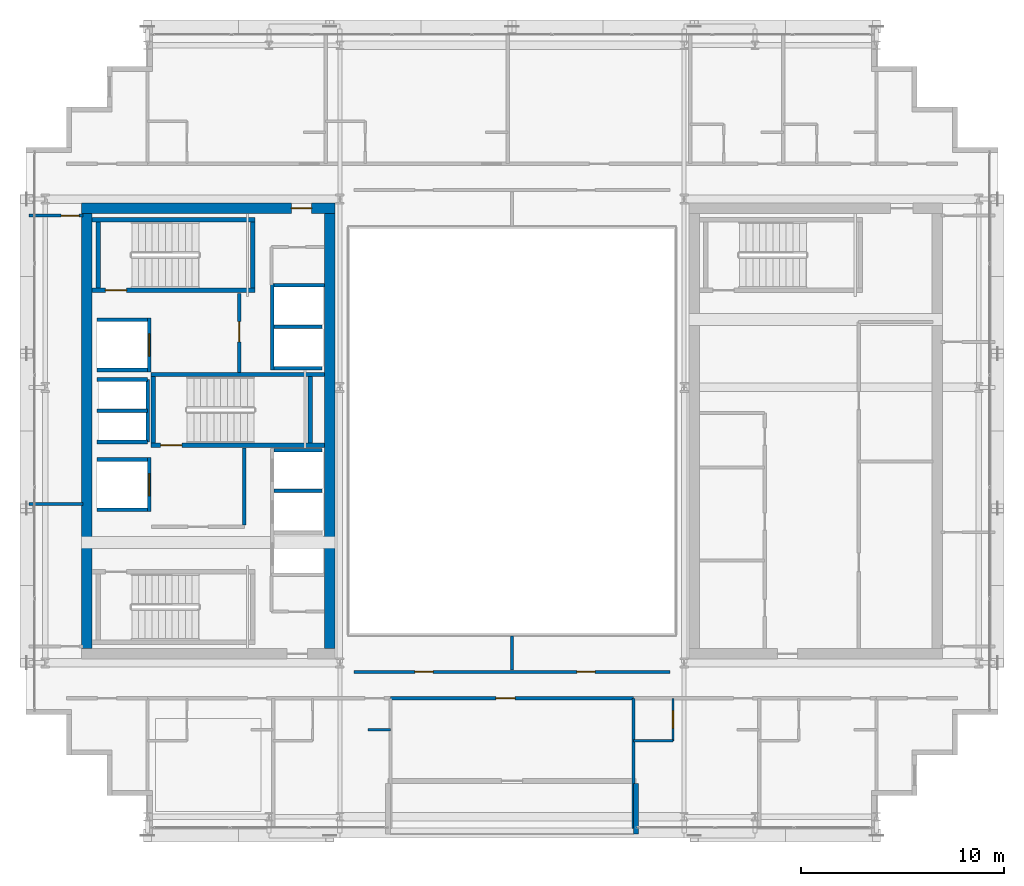
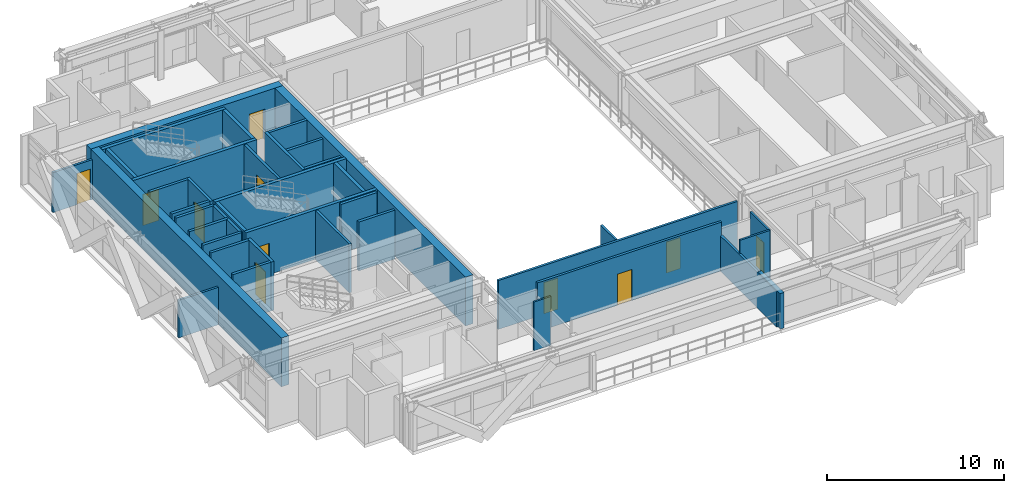
# One storey, part 25 of 32: 39 walls, 11 doors, 11 openings.
"""IFC4 building model written with IfcOpenShell, lengths in metres."""

from ifc_helpers import new_model, si_unit, direction, frame, frame_2d, origin, place, context, subcontext, project, spatial, rectangle, extrude, source, transform, mapped, material, layer, layer_set, type_object, element, fill, save


model = new_model("IFC4")

# Units and contexts
model_context = context("Model", 3, precision=1e-05, world=origin(), true_north=direction((0.0, 1.0)))
body_context = subcontext(model_context, "Body", "Model", "MODEL_VIEW")
ifc_project = project(units=[si_unit("LENGTHUNIT", "METRE"), si_unit("AREAUNIT", "SQUARE_METRE"), si_unit("VOLUMEUNIT", "CUBIC_METRE"), si_unit("PLANEANGLEUNIT", "RADIAN"), si_unit("MASSUNIT", "GRAM", prefix="KILO")], contexts=[model_context])

# Site, building, storey
site_placement = place(None, origin())
site = spatial("IfcSite", under=ifc_project, at=site_placement, CompositionType="ELEMENT")
building_placement = place(site_placement, origin())
building = spatial("IfcBuilding", under=site, at=building_placement, Name="Ocotamira Hotel", CompositionType="ELEMENT")
storey_placement = place(building_placement, frame((0.0, 0.0, 177.60009765625)))
storey = spatial("IfcBuildingStorey", under=building, at=storey_placement, Name="L44", CompositionType="ELEMENT", Elevation=177.60009765625)

# Wall, opening, door
ifc_material_1 = material(Name="Concrete C50/60", Category="concrete")
ifc_layer_1 = layer(ifc_material_1, 0.5)
ifc_layer_set_1 = layer_set([ifc_layer_1], Name="Concrete C50/60")
wall_type_1 = type_object("IfcWallType", Name="WL-CORE-500", PredefinedType="SHEAR", material=ifc_layer_set_1)
wall_1_placement = place(storey_placement, frame((10.75, 37.0, 0.0), z_axis=(0.0, 0.0, 1.0), x_axis=(1.0, 0.0, 0.0)))
wall_1 = element("IfcWall", 1, at=wall_1_placement, inside=storey, type_object=wall_type_1, Name="L44 Shear Core Wall WCORE-N", PredefinedType="SHEAR", context=body_context, shape_type="SweptSolid", body=[
    extrude(rectangle(XDim=12.5, YDim=0.5, at=frame_2d((6.25, 0.0))), origin(), (0.0, 0.0, 1.0), 3.369873046875),
])
opening_1_placement = place(wall_1_placement, frame((10.35009765625, 0.0, 0.0)))
opening_1 = element("IfcOpeningElement", 2, at=opening_1_placement, cuts=wall_1, Name="Opening D-FR2", PredefinedType="OPENING", context=body_context, shape_type="SweptSolid", body=[
    extrude(rectangle(XDim=1.0, YDim=2.14990234375, at=frame_2d((0.5, 1.074951171875))), frame((0.0, 0.260009765625, 0.0), z_axis=(0.0, -1.0, 0.0), x_axis=(1.0, 0.0, 0.0)), (0.0, 0.0, 1.0), 0.52001953125),
])
ifc_material_2 = material(Name="Fire-rated acoustic timber-veneer door", Category="wood")
door_type_1 = type_object("IfcDoorType", Name="DR-FIRE-1000", OperationType="NOTDEFINED", PredefinedType="DOOR", material=ifc_material_2)
shared_shape_1 = source(origin(), body_context, "Body", "SweptSolid", [
    extrude(rectangle(XDim=1.0, YDim=2.14990234375, at=frame_2d((0.5, 1.074951171875))), frame((0.0, 0.02490234375, 0.0), z_axis=(0.0, -1.0, 0.0), x_axis=(1.0, 0.0, 0.0)), (0.0, 0.0, 1.0), 0.050048828125),
])
door_1_placement = place(opening_1_placement, origin())
door_1 = element("IfcDoor", 3, at=door_1_placement, inside=storey, type_object=door_type_1, Name="L44 Door ID-L44-WLOB-N-D [ID-L44-WLOB-N-D]", OperationType="SINGLE_SWING_RIGHT", OverallHeight=2.14990234375, OverallWidth=1.0, PredefinedType="DOOR", context=body_context, shape_type="MappedRepresentation", body=[
    mapped(shared_shape_1, transform((0.0, 0.0, 0.0), scale=1.0)),
])
fill(opening_1, door_1)

# Walls
for number, where, z_axis, x_axis, name in (
    (4, (11.0, 15.25, 0.0), (0.0, 0.0, 1.0), (0.0, 1.0, 0.0), "L44 Shear Core Wall WCORE-W"),
    (5, (23.0, 15.25, 0.0), (0.0, 0.0, 1.0), (0.0, 1.0, 0.0), "L44 Shear Core Wall WCORE-E"),
):
    element("IfcWall", number, at=place(storey_placement, frame(where, z_axis=z_axis, x_axis=x_axis)), inside=storey, type_object=wall_type_1, Name=name, PredefinedType="SHEAR", context=body_context, shape_type="SweptSolid", body=[
        extrude(rectangle(XDim=21.5, YDim=0.5, at=frame_2d((10.75, 0.0))), origin(), (0.0, 0.0, 1.0), 3.369873046875),
    ])
ifc_material_3 = material(Name="Precast concrete C45/55", Category="concrete")
ifc_layer_2 = layer(ifc_material_3, 0.25)
ifc_layer_set_2 = layer_set([ifc_layer_2], Name="Precast concrete C45/55")
wall_type_2 = type_object("IfcWallType", Name="WL-EXT-SER-250", PredefinedType="SOLIDWALL", material=ifc_layer_set_2)
wall_2_placement = place(storey_placement, frame((38.125, 6.10009765625, 0.0), z_axis=(0.0, 0.0, 1.0), x_axis=(0.0, 1.0, 0.0)))
element("IfcWall", 6, at=wall_2_placement, inside=storey, type_object=wall_type_2, Name="L44 Sky Terrace Return Wall 1R", PredefinedType="SOLIDWALL", context=body_context, shape_type="SweptSolid", body=[
    extrude(rectangle(XDim=2.5, YDim=0.25, at=frame_2d((1.25, 0.0))), origin(), (0.0, 0.0, 1.0), 2.44287109375),
])
ifc_material_4 = material(Name="Acoustic double-layer fire gypsum board partition", Category="gypsum")
ifc_layer_3 = layer(ifc_material_4, 0.159912109375)
ifc_layer_set_3 = layer_set([ifc_layer_3], Name="Acoustic double-layer fire gypsum board partition")
wall_type_3 = type_object("IfcWallType", Name="WL-FIRE-160", PredefinedType="PARTITIONING", material=ifc_layer_set_3)
wall_3_placement = place(storey_placement, frame((18.780029296875, 21.35009765625, 0.0), z_axis=(0.0, 0.0, 1.0), x_axis=(0.0, 1.0, 0.0)))
element("IfcWall", 7, at=wall_3_placement, inside=storey, type_object=wall_type_3, Name="L44 Interior Wall PW-L44-FSAE1-E", PredefinedType="PARTITIONING", context=body_context, shape_type="SweptSolid", body=[
    extrude(rectangle(XDim=3.809814453125, YDim=0.159912109375, at=frame_2d((1.90478515625, 0.0))), origin(), (0.0, 0.0, 1.0), 3.369873046875),
])

# Wall, opening, door
wall_4_placement = place(storey_placement, frame((18.530029296875, 28.89990234375, 0.0), z_axis=(0.0, 0.0, 1.0), x_axis=(0.0, 1.0, 0.0)))
wall_4 = element("IfcWall", 8, at=wall_4_placement, inside=storey, type_object=wall_type_3, Name="L44 Interior Wall PW-L44-FSAE2-E", PredefinedType="PARTITIONING", context=body_context, shape_type="SweptSolid", body=[
    extrude(rectangle(XDim=3.900146484375, YDim=0.159912109375, at=frame_2d((1.9501953125, 0.0))), origin(), (0.0, 0.0, 1.0), 3.369873046875),
])
opening_2_placement = place(wall_4_placement, frame((1.5, 0.0, 0.0)))
opening_2 = element("IfcOpeningElement", 9, at=opening_2_placement, cuts=wall_4, Name="Opening D-FR2", PredefinedType="OPENING", context=body_context, shape_type="SweptSolid", body=[
    extrude(rectangle(XDim=1.0, YDim=2.14990234375, at=frame_2d((0.5, 1.074951171875))), frame((0.0, 0.08984375, 0.0), z_axis=(0.0, -1.0, 0.0), x_axis=(1.0, 0.0, 0.0)), (0.0, 0.0, 1.0), 0.179931640625),
])
door_2_placement = place(opening_2_placement, origin())
door_2 = element("IfcDoor", 10, at=door_2_placement, inside=storey, type_object=door_type_1, Name="L44 Door ID-L44-FSAE2-D [ID-L44-FSAE2-D]", OperationType="SINGLE_SWING_RIGHT", OverallHeight=2.14990234375, OverallWidth=1.0, PredefinedType="DOOR", context=body_context, shape_type="MappedRepresentation", body=[
    mapped(shared_shape_1, transform((0.0, 0.0, 0.0), scale=1.0)),
])
fill(opening_2, door_2)

wall_5_placement = place(storey_placement, frame((26.0, 12.800048828125, 0.0), z_axis=(0.0, 0.0, 1.0), x_axis=(1.0, 0.0, 0.0)))
wall_5 = element("IfcWall", 11, at=wall_5_placement, inside=storey, type_object=wall_type_3, Name="L44 Interior Wall PW-L44-Z3B-TSALN", PredefinedType="PARTITIONING", context=body_context, shape_type="SweptSolid", body=[
    extrude(rectangle(XDim=12.0, YDim=0.159912109375, at=frame_2d((6.0, 0.0))), origin(), (0.0, 0.0, 1.0), 3.369873046875),
])
opening_3_placement = place(wall_5_placement, frame((5.199951171875, 0.0, 0.0)))
opening_3 = element("IfcOpeningElement", 12, at=opening_3_placement, cuts=wall_5, Name="Opening D-SV4", PredefinedType="OPENING", context=body_context, shape_type="SweptSolid", body=[
    extrude(rectangle(XDim=0.9599609375, YDim=2.14990234375, at=frame_2d((0.47998046875, 1.074951171875))), frame((0.0, 0.08984375, 0.0), z_axis=(0.0, -1.0, 0.0), x_axis=(1.0, 0.0, 0.0)), (0.0, 0.0, 1.0), 0.179931640625),
])
ifc_material_5 = material(Name="Fire-rated accessible walnut salon door", Category="wood")
door_type_2 = type_object("IfcDoorType", Name="DR-SERV-960", OperationType="NOTDEFINED", PredefinedType="DOOR", material=ifc_material_5)
shared_shape_2 = source(origin(), body_context, "Body", "SweptSolid", [
    extrude(rectangle(XDim=0.9599609375, YDim=2.14990234375, at=frame_2d((0.47998046875, 1.074951171875))), frame((0.0, 0.02490234375, 0.0), z_axis=(0.0, -1.0, 0.0), x_axis=(1.0, 0.0, 0.0)), (0.0, 0.0, 1.0), 0.050048828125),
])
door_3_placement = place(opening_3_placement, origin())
door_3 = element("IfcDoor", 13, at=door_3_placement, inside=storey, type_object=door_type_2, Name="L44 Door ID-L44-Z3B-TSALD [ID-L44-Z3B-TSALD]", OperationType="SINGLE_SWING_LEFT", OverallHeight=2.14990234375, OverallWidth=0.9599609375, PredefinedType="DOOR", context=body_context, shape_type="MappedRepresentation", body=[
    mapped(shared_shape_2, transform((0.0, 0.0, 0.0), scale=1.0)),
])
fill(opening_3, door_3)

# Wall
ifc_material_6 = material(Name="Moisture-resistant en-suite tile and gypsum partition", Category="gypsum")
ifc_layer_4 = layer(ifc_material_6, 0.1201171875)
ifc_layer_set_4 = layer_set([ifc_layer_4], Name="Moisture-resistant en-suite tile and gypsum partition")
wall_type_4 = type_object("IfcWallType", Name="WL-PART-120", PredefinedType="PARTITIONING", material=ifc_layer_set_4)
wall_6_placement = place(storey_placement, frame((24.89990234375, 11.25, 0.0), z_axis=(0.0, 0.0, 1.0), x_axis=(1.0, 0.0, 0.0)))
element("IfcWall", 14, at=wall_6_placement, inside=storey, type_object=wall_type_4, Name="L44 Interior Wall PW-L44-Z3BSW-DRN2", PredefinedType="PARTITIONING", context=body_context, shape_type="SweptSolid", body=[
    extrude(rectangle(XDim=1.10009765625, YDim=0.1201171875, at=frame_2d((0.550048828125, 0.0))), origin(), (0.0, 0.0, 1.0), 3.369873046875),
])

# Wall, opening, door
wall_7_placement = place(storey_placement, frame((39.949951171875, 10.699951171875, 0.0), z_axis=(0.0, 0.0, 1.0), x_axis=(0.0, 1.0, 0.0)))
wall_7 = element("IfcWall", 15, at=wall_7_placement, inside=storey, type_object=wall_type_4, Name="L44 Interior Wall PW-L44-Z3BSE-BAE1", PredefinedType="PARTITIONING", context=body_context, shape_type="SweptSolid", body=[
    extrude(rectangle(XDim=2.10009765625, YDim=0.1201171875, at=frame_2d((1.050048828125, 0.0))), origin(), (0.0, 0.0, 1.0), 3.369873046875),
])
opening_4_placement = place(wall_7_placement, frame((0.6201171875, 0.0, 0.0)))
opening_4 = element("IfcOpeningElement", 16, at=opening_4_placement, cuts=wall_7, Name="Opening D-BA1", PredefinedType="OPENING", context=body_context, shape_type="SweptSolid", body=[
    extrude(rectangle(XDim=0.860107421875, YDim=2.10009765625, at=frame_2d((0.43017578125, 1.050048828125))), frame((0.0, 0.070068359375, 0.0), z_axis=(0.0, -1.0, 0.0), x_axis=(1.0, 0.0, 0.0)), (0.0, 0.0, 1.0), 0.14013671875),
])
ifc_material_7 = material(Name="Moisture-sealed en-suite timber door", Category="wood")
door_type_3 = type_object("IfcDoorType", Name="DR-BATH-860", OperationType="NOTDEFINED", PredefinedType="DOOR", material=ifc_material_7)
shared_shape_3 = source(origin(), body_context, "Body", "SweptSolid", [
    extrude(rectangle(XDim=0.860107421875, YDim=2.10009765625, at=frame_2d((0.43017578125, 1.050048828125))), frame((0.0, 0.02490234375, 0.0), z_axis=(0.0, -1.0, 0.0), x_axis=(1.0, 0.0, 0.0)), (0.0, 0.0, 1.0), 0.050048828125),
])
door_4_placement = place(opening_4_placement, origin())
door_4 = element("IfcDoor", 17, at=door_4_placement, inside=storey, type_object=door_type_3, Name="L44 Door ID-L44-Z3BSE-BAD1 [ID-L44-Z3BSE-BAD1]", OperationType="SINGLE_SWING_RIGHT", OverallHeight=2.10009765625, OverallWidth=0.860107421875, PredefinedType="DOOR", context=body_context, shape_type="MappedRepresentation", body=[
    mapped(shared_shape_3, transform((0.0, 0.0, 0.0), scale=1.0)),
])
fill(opening_4, door_4)

# Walls
wall_8_placement = place(storey_placement, frame((38.0, 10.699951171875, 0.0), z_axis=(0.0, 0.0, 1.0), x_axis=(1.0, 0.0, 0.0)))
element("IfcWall", 18, at=wall_8_placement, inside=storey, type_object=wall_type_4, Name="L44 Interior Wall PW-L44-Z3BSE-BAS1", PredefinedType="PARTITIONING", context=body_context, shape_type="SweptSolid", body=[
    extrude(rectangle(XDim=1.949951171875, YDim=0.1201171875, at=frame_2d((0.97509765625, 0.0))), origin(), (0.0, 0.0, 1.0), 3.369873046875),
])
ifc_material_8 = material(Name="Acoustic hospitality gypsum board partition", Category="gypsum")
ifc_layer_5 = layer(ifc_material_8, 0.14208984375)
ifc_layer_set_5 = layer_set([ifc_layer_5], Name="Acoustic hospitality gypsum board partition")
wall_type_5 = type_object("IfcWallType", Name="WL-PART-142", PredefinedType="PARTITIONING", material=ifc_layer_set_5)
wall_9_placement = place(storey_placement, frame((32.0, 14.199951171875, 0.0), z_axis=(0.0, 0.0, 1.0), x_axis=(0.0, 1.0, 0.0)))
element("IfcWall", 19, at=wall_9_placement, inside=storey, type_object=wall_type_5, Name="L44 Interior Wall PW-L44-Z3B-ASD1", PredefinedType="PARTITIONING", context=body_context, shape_type="SweptSolid", body=[
    extrude(rectangle(XDim=1.679931640625, YDim=0.14208984375, at=frame_2d((0.83984375, 0.0))), origin(), (0.0, 0.0, 1.0), 3.369873046875),
])
wall_10_placement = place(storey_placement, frame((8.159912109375, 22.39990234375, 0.0), z_axis=(0.0, 0.0, 1.0), x_axis=(1.0, 0.0, 0.0)))
element("IfcWall", 20, at=wall_10_placement, inside=storey, type_object=wall_type_5, Name="L44 Interior Wall PW-L44-Z3B-WF-DV1", PredefinedType="PARTITIONING", context=body_context, shape_type="SweptSolid", body=[
    extrude(rectangle(XDim=2.66015625, YDim=0.14208984375, at=frame_2d((1.330078125, 0.0))), origin(), (0.0, 0.0, 1.0), 2.5908203125),
])

# Wall, openings, doors
ifc_layer_6 = layer(ifc_material_8, 0.14990234375)
ifc_layer_set_6 = layer_set([ifc_layer_6], Name="Acoustic hospitality gypsum board partition")
wall_type_6 = type_object("IfcWallType", Name="WL-PART-150", PredefinedType="PARTITIONING", material=ifc_layer_set_6)
wall_11_placement = place(storey_placement, frame((24.199951171875, 14.10009765625, 0.0), z_axis=(0.0, 0.0, 1.0), x_axis=(1.0, 0.0, 0.0)))
wall_11 = element("IfcWall", 21, at=wall_11_placement, inside=storey, type_object=wall_type_6, Name="L44 Interior Wall PW-L44-Z3B-ATRSW", PredefinedType="PARTITIONING", context=body_context, shape_type="SweptSolid", body=[
    extrude(rectangle(XDim=15.60009765625, YDim=0.14990234375, at=frame_2d((7.800048828125, 0.0))), origin(), (0.0, 0.0, 1.0), 3.369873046875),
])
opening_5_placement = place(wall_11_placement, frame((3.0, 0.0, 0.0)))
opening_5 = element("IfcOpeningElement", 22, at=opening_5_placement, cuts=wall_11, Name="Opening D-IN3", PredefinedType="OPENING", context=body_context, shape_type="SweptSolid", body=[
    extrude(rectangle(XDim=0.89990234375, YDim=2.14990234375, at=frame_2d((0.449951171875, 1.074951171875))), frame((0.0, 0.0849609375, 0.0), z_axis=(0.0, -1.0, 0.0), x_axis=(1.0, 0.0, 0.0)), (0.0, 0.0, 1.0), 0.169921875),
])
opening_6_placement = place(wall_11_placement, frame((11.0, 0.0, 0.0)))
opening_6 = element("IfcOpeningElement", 23, at=opening_6_placement, cuts=wall_11, Name="Opening D-IN3", PredefinedType="OPENING", context=body_context, shape_type="SweptSolid", body=[
    extrude(rectangle(XDim=0.89990234375, YDim=2.14990234375, at=frame_2d((0.449951171875, 1.074951171875))), frame((0.0, 0.0849609375, 0.0), z_axis=(0.0, -1.0, 0.0), x_axis=(1.0, 0.0, 0.0)), (0.0, 0.0, 1.0), 0.169921875),
])
ifc_material_9 = material(Name="Painted service room door", Category="steel")
door_type_4 = type_object("IfcDoorType", Name="DR-INT-900", OperationType="NOTDEFINED", PredefinedType="DOOR", material=ifc_material_9)
shared_shape_4 = source(origin(), body_context, "Body", "SweptSolid", [
    extrude(rectangle(XDim=0.89990234375, YDim=2.14990234375, at=frame_2d((0.449951171875, 1.074951171875))), frame((0.0, 0.02490234375, 0.0), z_axis=(0.0, -1.0, 0.0), x_axis=(1.0, 0.0, 0.0)), (0.0, 0.0, 1.0), 0.050048828125),
])
door_5_placement = place(opening_5_placement, origin())
door_5 = element("IfcDoor", 24, at=door_5_placement, inside=storey, type_object=door_type_4, Name="L44 Door ID-L44-Z3B-ASD1D [ID-L44-Z3B-ASD1D]", OperationType="SINGLE_SWING_LEFT", OverallHeight=2.14990234375, OverallWidth=0.89990234375, PredefinedType="DOOR", context=body_context, shape_type="MappedRepresentation", body=[
    mapped(shared_shape_4, transform((0.0, 0.0, 0.0), scale=1.0)),
])
fill(opening_5, door_5)
door_6_placement = place(opening_6_placement, origin())
door_6 = element("IfcDoor", 25, at=door_6_placement, inside=storey, type_object=door_type_4, Name="L44 Door ID-L44-Z3B-ASD2D [ID-L44-Z3B-ASD2D]", OperationType="SINGLE_SWING_RIGHT", OverallHeight=2.14990234375, OverallWidth=0.89990234375, PredefinedType="DOOR", context=body_context, shape_type="MappedRepresentation", body=[
    mapped(shared_shape_4, transform((0.0, 0.0, 0.0), scale=1.0)),
])
fill(opening_6, door_6)

# Wall, opening, door
wall_12_placement = place(storey_placement, frame((8.159912109375, 36.639892578125, 0.0), z_axis=(0.0, 0.0, 1.0), x_axis=(1.0, 0.0, 0.0)))
wall_12 = element("IfcWall", 26, at=wall_12_placement, inside=storey, type_object=wall_type_6, Name="L44 Interior Wall PW-L44-Z3B-WF-WN", PredefinedType="PARTITIONING", context=body_context, shape_type="SweptSolid", body=[
    extrude(rectangle(XDim=2.66015625, YDim=0.14990234375, at=frame_2d((1.330078125, 0.0))), origin(), (0.0, 0.0, 1.0), 2.7529296875),
])
opening_7_placement = place(wall_12_placement, frame((1.580078125, 0.0, 0.0)))
opening_7 = element("IfcOpeningElement", 27, at=opening_7_placement, cuts=wall_12, Name="Opening D-SV2", PredefinedType="OPENING", context=body_context, shape_type="SweptSolid", body=[
    extrude(rectangle(XDim=0.8798828125, YDim=2.14990234375, at=frame_2d((0.43994140625, 1.074951171875))), frame((0.0, 0.0849609375, 0.0), z_axis=(0.0, -1.0, 0.0), x_axis=(1.0, 0.0, 0.0)), (0.0, 0.0, 1.0), 0.169921875),
])
ifc_material_10 = material(Name="Fire-rated painted steel service door", Category="steel")
door_type_5 = type_object("IfcDoorType", Name="DR-SERV-880", OperationType="NOTDEFINED", PredefinedType="DOOR", material=ifc_material_10)
shared_shape_5 = source(origin(), body_context, "Body", "SweptSolid", [
    extrude(rectangle(XDim=0.8798828125, YDim=2.14990234375, at=frame_2d((0.43994140625, 1.074951171875))), frame((0.0, 0.02490234375, 0.0), z_axis=(0.0, -1.0, 0.0), x_axis=(1.0, 0.0, 0.0)), (0.0, 0.0, 1.0), 0.050048828125),
])
door_7_placement = place(opening_7_placement, origin())
door_7 = element("IfcDoor", 28, at=door_7_placement, inside=storey, type_object=door_type_5, Name="L44 Door ID-L44-Z3B-WF-DN [ID-L44-Z3B-WF-DN]", OperationType="SINGLE_SWING_RIGHT", OverallHeight=2.14990234375, OverallWidth=0.8798828125, PredefinedType="DOOR", context=body_context, shape_type="MappedRepresentation", body=[
    mapped(shared_shape_5, transform((0.0, 0.0, 0.0), scale=1.0)),
])
fill(opening_7, door_7)

# Walls
ifc_material_11 = material(Name="Acoustic double-stud hospitality gypsum partition", Category="gypsum")
ifc_layer_7 = layer(ifc_material_11, 0.159912109375)
ifc_layer_set_7 = layer_set([ifc_layer_7], Name="Acoustic double-stud hospitality gypsum partition")
wall_type_7 = type_object("IfcWallType", Name="WL-PART-160", PredefinedType="PARTITIONING", material=ifc_layer_set_7)
wall_13_placement = place(storey_placement, frame((38.0, 6.360107421875, 0.0), z_axis=(0.0, 0.0, 1.0), x_axis=(0.0, 1.0, 0.0)))
element("IfcWall", 29, at=wall_13_placement, inside=storey, type_object=wall_type_7, Name="L44 Interior Wall PW-L44-Z3BSE-PW0", PredefinedType="PARTITIONING", context=body_context, shape_type="SweptSolid", body=[
    extrude(rectangle(XDim=6.43994140625, YDim=0.159912109375, at=frame_2d((3.219970703125, 0.0))), origin(), (0.0, 0.0, 1.0), 2.44287109375),
])
ifc_material_12 = material(Name="Fire-rated gypsum shaftliner board assembly", Category="gypsum")
ifc_layer_8 = layer(ifc_material_12, 0.179931640625)
ifc_layer_set_8 = layer_set([ifc_layer_8], Name="Fire-rated gypsum shaftliner board assembly")
wall_type_8 = type_object("IfcWallType", Name="WL-SHAFT-180", PredefinedType="SOLIDWALL", material=ifc_layer_set_8)
for number, where, z_axis, x_axis, name in (
    (30, (20.25, 25.050048828125, 0.0), (0.0, 0.0, 1.0), (1.0, 0.0, 0.0), "L44 Interior Wall PW-L44-LFW-BANK-high-N"),
    (31, (20.25, 23.044921875, 0.0), (0.0, 0.0, 1.0), (1.0, 0.0, 0.0), "L44 Interior Wall PW-L44-LFW-DIV-LF-P8"),
):
    element("IfcWall", number, at=place(storey_placement, frame(where, z_axis=z_axis, x_axis=x_axis)), inside=storey, type_object=wall_type_8, Name=name, PredefinedType="SOLIDWALL", context=body_context, shape_type="SweptSolid", body=[
        extrude(rectangle(XDim=2.360107421875, YDim=0.179931640625, at=frame_2d((1.18017578125, 0.0))), origin(), (0.0, 0.0, 1.0), 3.369873046875),
    ])
wall_14_placement = place(storey_placement, frame((20.159912109375, 29.0, 0.0), z_axis=(0.0, 0.0, 1.0), x_axis=(0.0, 1.0, 0.0)))
element("IfcWall", 32, at=wall_14_placement, inside=storey, type_object=wall_type_8, Name="L44 Interior Wall PW-L44-LFW-BANK-obs-F", PredefinedType="SOLIDWALL", context=body_context, shape_type="SweptSolid", body=[
    extrude(rectangle(XDim=4.2900390625, YDim=0.179931640625, at=frame_2d((2.14501953125, 0.0))), origin(), (0.0, 0.0, 1.0), 3.369873046875),
])
wall_15_placement = place(storey_placement, frame((20.25, 29.090087890625, 0.0), z_axis=(0.0, 0.0, 1.0), x_axis=(1.0, 0.0, 0.0)))
element("IfcWall", 33, at=wall_15_placement, inside=storey, type_object=wall_type_8, Name="L44 Interior Wall PW-L44-LFW-BANK-obs-S", PredefinedType="SOLIDWALL", context=body_context, shape_type="SweptSolid", body=[
    extrude(rectangle(XDim=2.360107421875, YDim=0.179931640625, at=frame_2d((1.18017578125, 0.0))), origin(), (0.0, 0.0, 1.0), 3.369873046875),
])
wall_16_placement = place(storey_placement, frame((20.25, 33.199951171875, 0.0), z_axis=(0.0, 0.0, 1.0), x_axis=(1.0, 0.0, 0.0)))
element("IfcWall", 34, at=wall_16_placement, inside=storey, type_object=wall_type_8, Name="L44 Interior Wall PW-L44-LFW-BANK-obs-N", PredefinedType="SOLIDWALL", context=body_context, shape_type="SweptSolid", body=[
    extrude(rectangle(XDim=2.5, YDim=0.179931640625, at=frame_2d((1.25, 0.0))), origin(), (0.0, 0.0, 1.0), 3.369873046875),
])
wall_17_placement = place(storey_placement, frame((20.25, 31.14501953125, 0.0), z_axis=(0.0, 0.0, 1.0), x_axis=(1.0, 0.0, 0.0)))
element("IfcWall", 35, at=wall_17_placement, inside=storey, type_object=wall_type_8, Name="L44 Interior Wall PW-L44-LFW-DIV-LF-OBS1", PredefinedType="SOLIDWALL", context=body_context, shape_type="SweptSolid", body=[
    extrude(rectangle(XDim=2.360107421875, YDim=0.179931640625, at=frame_2d((1.18017578125, 0.0))), origin(), (0.0, 0.0, 1.0), 3.369873046875),
])
for number, where, z_axis, x_axis, name in (
    (36, (11.5, 22.110107421875, 0.0), (0.0, 0.0, 1.0), (1.0, 0.0, 0.0), "L44 Interior Wall PW-L44-LFW-LF-FSAE1-S"),
    (37, (11.5, 24.590087890625, 0.0), (0.0, 0.0, 1.0), (1.0, 0.0, 0.0), "L44 Interior Wall PW-L44-LFW-LF-FSAE1-N"),
):
    element("IfcWall", number, at=place(storey_placement, frame(where, z_axis=z_axis, x_axis=x_axis)), inside=storey, type_object=wall_type_8, Name=name, PredefinedType="SOLIDWALL", context=body_context, shape_type="SweptSolid", body=[
        extrude(rectangle(XDim=2.5, YDim=0.179931640625, at=frame_2d((1.25, 0.0))), origin(), (0.0, 0.0, 1.0), 3.369873046875),
    ])

# Wall, opening, door
wall_18_placement = place(storey_placement, frame((14.090087890625, 22.02001953125, 0.0), z_axis=(0.0, 0.0, 1.0), x_axis=(0.0, 1.0, 0.0)))
wall_18 = element("IfcWall", 38, at=wall_18_placement, inside=storey, type_object=wall_type_8, Name="L44 Interior Wall PW-L44-LFW-LF-FSAE1-E", PredefinedType="SOLIDWALL", context=body_context, shape_type="SweptSolid", body=[
    extrude(rectangle(XDim=2.659912109375, YDim=0.179931640625, at=frame_2d((1.330078125, 0.0))), origin(), (0.0, 0.0, 1.0), 3.369873046875),
])
opening_8_placement = place(wall_18_placement, frame((0.780029296875, 0.0, 0.0)))
opening_8 = element("IfcOpeningElement", 39, at=opening_8_placement, cuts=wall_18, Name="Opening LD-LF-FSAE1", PredefinedType="OPENING", context=body_context, shape_type="SweptSolid", body=[
    extrude(rectangle(XDim=1.10009765625, YDim=2.199951171875, at=frame_2d((0.550048828125, 1.10009765625))), frame((0.0, 0.10009765625, 0.0), z_axis=(0.0, -1.0, 0.0), x_axis=(1.0, 0.0, 0.0)), (0.0, 0.0, 1.0), 0.199951171875),
])
ifc_material_13 = material(Name="Brushed pale-metal stainless elevator landing door", Category="steel")
door_type_6 = type_object("IfcDoorType", Name="DR-LIFT-1100", OperationType="NOTDEFINED", PredefinedType="DOOR", material=ifc_material_13)
shared_shape_6 = source(origin(), body_context, "Body", "SweptSolid", [
    extrude(rectangle(XDim=1.10009765625, YDim=2.199951171875, at=frame_2d((0.550048828125, 1.10009765625))), frame((0.0, 0.02490234375, 0.0), z_axis=(0.0, -1.0, 0.0), x_axis=(1.0, 0.0, 0.0)), (0.0, 0.0, 1.0), 0.050048828125),
])
door_8_placement = place(opening_8_placement, origin())
door_8 = element("IfcDoor", 40, at=door_8_placement, inside=storey, type_object=door_type_6, Name="L44 Landing Door LD-LF-FSAE1 [ID-L44-LD-LF-FSAE1]", OperationType="DOUBLE_DOOR_SLIDING", OverallHeight=2.199951171875, OverallWidth=1.10009765625, PredefinedType="DOOR", context=body_context, shape_type="MappedRepresentation", body=[
    mapped(shared_shape_6, transform((0.0, 0.0, 0.0), scale=1.0)),
])
fill(opening_8, door_8)

# Walls
for number, where, z_axis, x_axis, name in (
    (41, (11.5, 29.010009765625, 0.0), (0.0, 0.0, 1.0), (1.0, 0.0, 0.0), "L44 Interior Wall PW-L44-LFW-LF-FSAE2-S"),
    (42, (11.5, 31.489990234375, 0.0), (0.0, 0.0, 1.0), (1.0, 0.0, 0.0), "L44 Interior Wall PW-L44-LFW-LF-FSAE2-N"),
):
    element("IfcWall", number, at=place(storey_placement, frame(where, z_axis=z_axis, x_axis=x_axis)), inside=storey, type_object=wall_type_8, Name=name, PredefinedType="SOLIDWALL", context=body_context, shape_type="SweptSolid", body=[
        extrude(rectangle(XDim=2.5, YDim=0.179931640625, at=frame_2d((1.25, 0.0))), origin(), (0.0, 0.0, 1.0), 3.369873046875),
    ])

# Wall, opening, door
wall_19_placement = place(storey_placement, frame((14.090087890625, 28.919921875, 0.0), z_axis=(0.0, 0.0, 1.0), x_axis=(0.0, 1.0, 0.0)))
wall_19 = element("IfcWall", 43, at=wall_19_placement, inside=storey, type_object=wall_type_8, Name="L44 Interior Wall PW-L44-LFW-LF-FSAE2-E", PredefinedType="SOLIDWALL", context=body_context, shape_type="SweptSolid", body=[
    extrude(rectangle(XDim=2.66015625, YDim=0.179931640625, at=frame_2d((1.330078125, 0.0))), origin(), (0.0, 0.0, 1.0), 3.369873046875),
])
opening_9_placement = place(wall_19_placement, frame((0.780029296875, 0.0, 0.0)))
opening_9 = element("IfcOpeningElement", 44, at=opening_9_placement, cuts=wall_19, Name="Opening LD-LF-FSAE2", PredefinedType="OPENING", context=body_context, shape_type="SweptSolid", body=[
    extrude(rectangle(XDim=1.10009765625, YDim=2.199951171875, at=frame_2d((0.550048828125, 1.10009765625))), frame((0.0, 0.10009765625, 0.0), z_axis=(0.0, -1.0, 0.0), x_axis=(1.0, 0.0, 0.0)), (0.0, 0.0, 1.0), 0.199951171875),
])
door_9_placement = place(opening_9_placement, origin())
door_9 = element("IfcDoor", 45, at=door_9_placement, inside=storey, type_object=door_type_6, Name="L44 Landing Door LD-LF-FSAE2 [ID-L44-LD-LF-FSAE2]", OperationType="DOUBLE_DOOR_SLIDING", OverallHeight=2.199951171875, OverallWidth=1.10009765625, PredefinedType="DOOR", context=body_context, shape_type="MappedRepresentation", body=[
    mapped(shared_shape_6, transform((0.0, 0.0, 0.0), scale=1.0)),
])
fill(opening_9, door_9)

# Walls
for number, where, z_axis, x_axis, name in (
    (46, (11.5, 25.4599609375, 0.0), (0.0, 0.0, 1.0), (1.0, 0.0, 0.0), "L44 Interior Wall PW-L44-RSW-S"),
    (47, (11.5, 27.0, 0.0), (0.0, 0.0, 1.0), (1.0, 0.0, 0.0), "L44 Interior Wall PW-L44-RSW-MID"),
    (48, (11.5, 28.5400390625, 0.0), (0.0, 0.0, 1.0), (1.0, 0.0, 0.0), "L44 Interior Wall PW-L44-RSW-N"),
):
    element("IfcWall", number, at=place(storey_placement, frame(where, z_axis=z_axis, x_axis=x_axis)), inside=storey, type_object=wall_type_8, Name=name, PredefinedType="SOLIDWALL", context=body_context, shape_type="SweptSolid", body=[
        extrude(rectangle(XDim=2.510009765625, YDim=0.179931640625, at=frame_2d((1.2548828125, 0.0))), origin(), (0.0, 0.0, 1.0), 3.369873046875),
    ])
wall_20_placement = place(storey_placement, frame((14.010009765625, 25.4599609375, 0.0), z_axis=(0.0, 0.0, 1.0), x_axis=(0.0, 1.0, 0.0)))
element("IfcWall", 49, at=wall_20_placement, inside=storey, type_object=wall_type_8, Name="L44 Interior Wall PW-L44-RSW-E", PredefinedType="SOLIDWALL", context=body_context, shape_type="SweptSolid", body=[
    extrude(rectangle(XDim=3.080078125, YDim=0.179931640625, at=frame_2d((1.5400390625, 0.0))), origin(), (0.0, 0.0, 1.0), 3.369873046875),
])

# Wall, opening, door
ifc_layer_9 = layer(ifc_material_1, 0.219970703125)
ifc_layer_set_9 = layer_set([ifc_layer_9], Name="Concrete C50/60")
wall_type_9 = type_object("IfcWallType", Name="WL-STAIR-220", PredefinedType="SHEAR", material=ifc_layer_set_9)
wall_21_placement = place(storey_placement, frame((11.25, 32.93994140625, 0.0), z_axis=(0.0, 0.0, 1.0), x_axis=(1.0, 0.0, 0.0)))
wall_21 = element("IfcWall", 50, at=wall_21_placement, inside=storey, type_object=wall_type_9, Name="L44 Stair Shaft Structural Wall ST-2-S", PredefinedType="SHEAR", context=body_context, shape_type="SweptSolid", body=[
    extrude(rectangle(XDim=8.06005859375, YDim=0.219970703125, at=frame_2d((4.030029296875, 0.0))), origin(), (0.0, 0.0, 1.0), 3.39990234375),
])
opening_10_placement = place(wall_21_placement, frame((0.669921875, 0.0, 0.0)))
opening_10 = element("IfcOpeningElement", 51, at=opening_10_placement, cuts=wall_21, Name="Opening D-ST2", PredefinedType="OPENING", context=body_context, shape_type="SweptSolid", body=[
    extrude(rectangle(XDim=1.050048828125, YDim=2.14990234375, at=frame_2d((0.52490234375, 1.074951171875))), frame((0.0, 0.1201171875, 0.0), z_axis=(0.0, -1.0, 0.0), x_axis=(1.0, 0.0, 0.0)), (0.0, 0.0, 1.0), 0.239990234375),
])
ifc_material_14 = material(Name="Insulated painted hollow-metal fire exit door", Category="steel")
door_type_7 = type_object("IfcDoorType", Name="DR-STAIR-1050", OperationType="NOTDEFINED", PredefinedType="DOOR", material=ifc_material_14)
shared_shape_7 = source(origin(), body_context, "Body", "SweptSolid", [
    extrude(rectangle(XDim=1.050048828125, YDim=2.14990234375, at=frame_2d((0.52490234375, 1.074951171875))), frame((0.0, 0.02490234375, 0.0), z_axis=(0.0, -1.0, 0.0), x_axis=(1.0, 0.0, 0.0)), (0.0, 0.0, 1.0), 0.050048828125),
])
door_10_placement = place(opening_10_placement, origin())
door_10 = element("IfcDoor", 52, at=door_10_placement, inside=storey, type_object=door_type_7, Name="L44 Door ID-L44-STD-ST-2 [ID-L44-STD-ST-2]", OperationType="SINGLE_SWING_RIGHT", OverallHeight=2.14990234375, OverallWidth=1.050048828125, PredefinedType="DOOR", context=body_context, shape_type="MappedRepresentation", body=[
    mapped(shared_shape_7, transform((0.0, 0.0, 0.0), scale=1.0)),
])
fill(opening_10, door_10)

# Walls
wall_22_placement = place(storey_placement, frame((11.25, 36.43994140625, 0.0), z_axis=(0.0, 0.0, 1.0), x_axis=(1.0, 0.0, 0.0)))
element("IfcWall", 53, at=wall_22_placement, inside=storey, type_object=wall_type_9, Name="L44 Stair Shaft Structural Wall ST-2-N", PredefinedType="SHEAR", context=body_context, shape_type="SweptSolid", body=[
    extrude(rectangle(XDim=8.06005859375, YDim=0.219970703125, at=frame_2d((4.030029296875, 0.0))), origin(), (0.0, 0.0, 1.0), 3.39990234375),
])
for number, where, z_axis, x_axis, name in (
    (54, (11.56005859375, 33.050048828125, 0.0), (0.0, 0.0, 1.0), (0.0, 1.0, 0.0), "L44 Stair Shaft Structural Wall ST-2-W"),
    (55, (19.199951171875, 33.050048828125, 0.0), (0.0, 0.0, 1.0), (0.0, 1.0, 0.0), "L44 Stair Shaft Structural Wall ST-2-E"),
):
    element("IfcWall", number, at=place(storey_placement, frame(where, z_axis=z_axis, x_axis=x_axis)), inside=storey, type_object=wall_type_9, Name=name, PredefinedType="SHEAR", context=body_context, shape_type="SweptSolid", body=[
        extrude(rectangle(XDim=3.280029296875, YDim=0.219970703125, at=frame_2d((1.64013671875, 0.0))), origin(), (0.0, 0.0, 1.0), 3.39990234375),
    ])

# Wall, opening, door
wall_23_placement = place(storey_placement, frame((14.179931640625, 25.2900390625, 0.0), z_axis=(0.0, 0.0, 1.0), x_axis=(1.0, 0.0, 0.0)))
wall_23 = element("IfcWall", 56, at=wall_23_placement, inside=storey, type_object=wall_type_9, Name="L44 Stair Shaft Structural Wall ST-3-S", PredefinedType="SHEAR", context=body_context, shape_type="SweptSolid", body=[
    extrude(rectangle(XDim=8.570068359375, YDim=0.219970703125, at=frame_2d((4.28515625, 0.0))), origin(), (0.0, 0.0, 1.0), 3.39990234375),
])
opening_11_placement = place(wall_23_placement, frame((0.469970703125, 0.0, 0.0)))
opening_11 = element("IfcOpeningElement", 57, at=opening_11_placement, cuts=wall_23, Name="Opening D-ST2", PredefinedType="OPENING", context=body_context, shape_type="SweptSolid", body=[
    extrude(rectangle(XDim=1.050048828125, YDim=2.14990234375, at=frame_2d((0.52490234375, 1.074951171875))), frame((0.0, 0.1201171875, 0.0), z_axis=(0.0, -1.0, 0.0), x_axis=(1.0, 0.0, 0.0)), (0.0, 0.0, 1.0), 0.239990234375),
])
door_11_placement = place(opening_11_placement, origin())
door_11 = element("IfcDoor", 58, at=door_11_placement, inside=storey, type_object=door_type_7, Name="L44 Door ID-L44-STD-ST-3 [ID-L44-STD-ST-3]", OperationType="SINGLE_SWING_LEFT", OverallHeight=2.14990234375, OverallWidth=1.050048828125, PredefinedType="DOOR", context=body_context, shape_type="MappedRepresentation", body=[
    mapped(shared_shape_7, transform((0.0, 0.0, 0.0), scale=1.0)),
])
fill(opening_11, door_11)

# Walls
wall_24_placement = place(storey_placement, frame((14.179931640625, 28.7900390625, 0.0), z_axis=(0.0, 0.0, 1.0), x_axis=(1.0, 0.0, 0.0)))
element("IfcWall", 59, at=wall_24_placement, inside=storey, type_object=wall_type_9, Name="L44 Stair Shaft Structural Wall ST-3-N", PredefinedType="SHEAR", context=body_context, shape_type="SweptSolid", body=[
    extrude(rectangle(XDim=8.570068359375, YDim=0.219970703125, at=frame_2d((4.28515625, 0.0))), origin(), (0.0, 0.0, 1.0), 3.39990234375),
])
for number, where, z_axis, x_axis, name in (
    (60, (14.2900390625, 25.39990234375, 0.0), (0.0, 0.0, 1.0), (0.0, 1.0, 0.0), "L44 Stair Shaft Structural Wall ST-3-W"),
    (61, (22.030029296875, 25.39990234375, 0.0), (0.0, 0.0, 1.0), (0.0, 1.0, 0.0), "L44 Stair Shaft Structural Wall ST-3-E"),
):
    element("IfcWall", number, at=place(storey_placement, frame(where, z_axis=z_axis, x_axis=x_axis)), inside=storey, type_object=wall_type_9, Name=name, PredefinedType="SHEAR", context=body_context, shape_type="SweptSolid", body=[
        extrude(rectangle(XDim=3.280029296875, YDim=0.219970703125, at=frame_2d((1.64013671875, 0.0))), origin(), (0.0, 0.0, 1.0), 3.39990234375),
    ])

save(model, "model.ifc")
